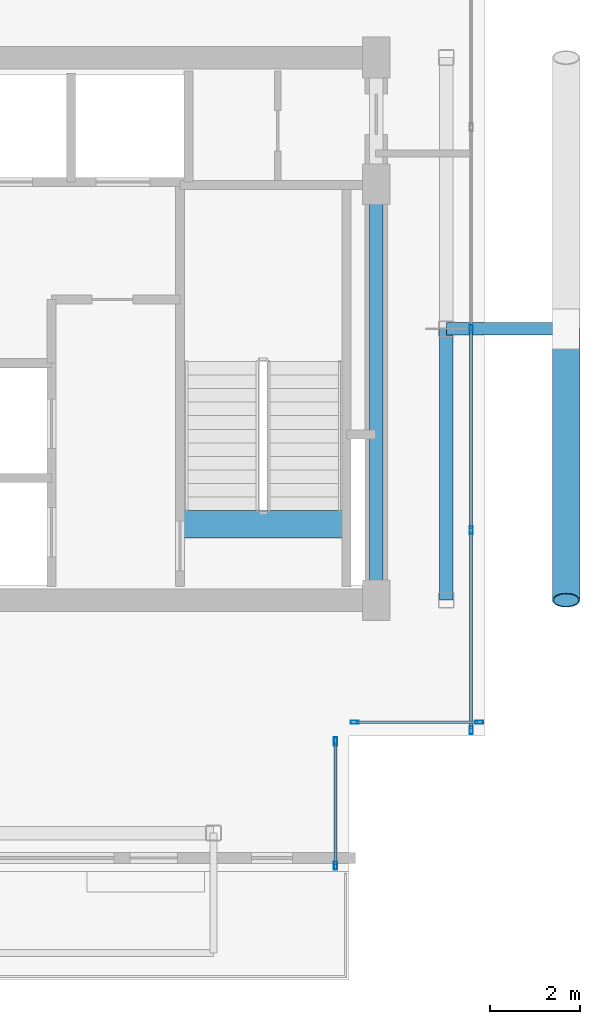
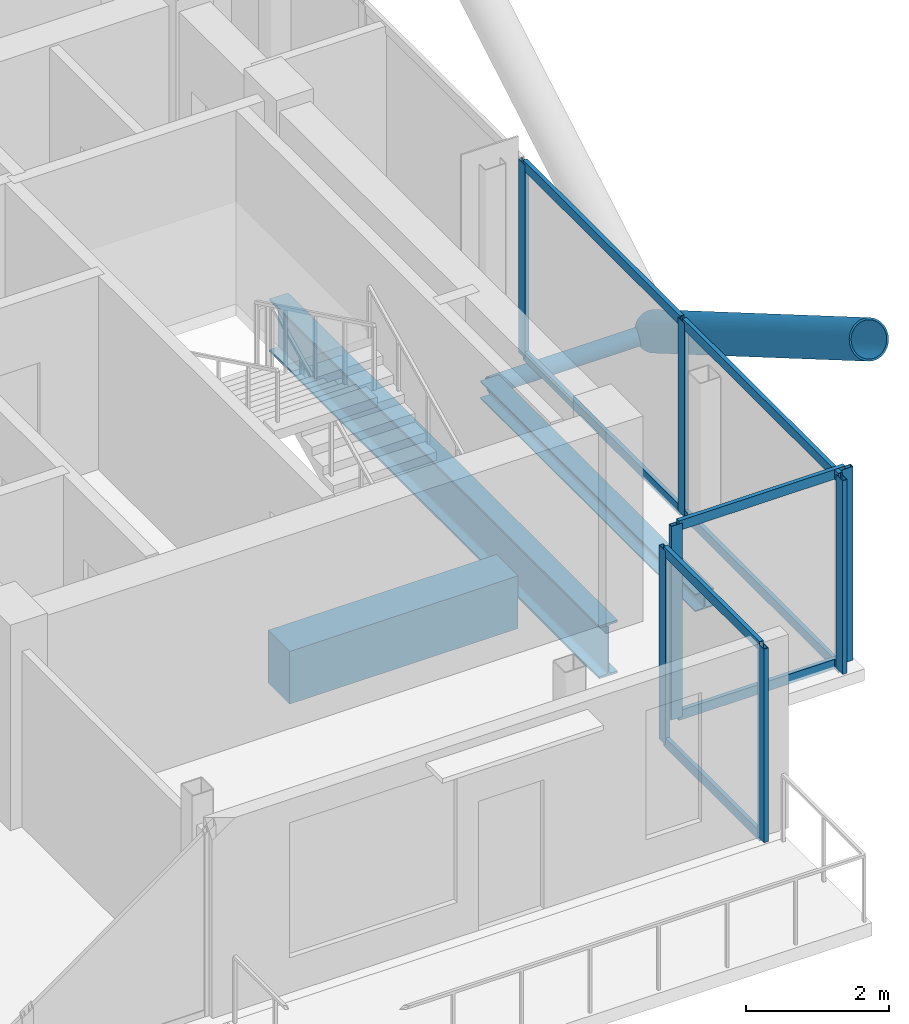
# One storey, part 11 of 18: 17 members, 3 beams, 3 elements without a shape of their own.
"""IFC4 building model written with IfcOpenShell, lengths in metres."""

from ifc_helpers import new_model, si_unit, direction, frame, origin, origin_2d, place, context, subcontext, project, spatial, rectangle, hollow_rectangle, hollow_circle, i_section, extrude, material, layer, layer_set, material_profile, profile_set, type_object, element, aggregate, save


model = new_model("IFC4")

# Units and contexts
model_context = context("Model", 3, precision=1e-05, world=origin(), true_north=direction((0.0, 1.0)))
body_context = subcontext(model_context, "Body", "Model", "MODEL_VIEW")
ifc_project = project(units=[si_unit("LENGTHUNIT", "METRE"), si_unit("AREAUNIT", "SQUARE_METRE"), si_unit("VOLUMEUNIT", "CUBIC_METRE"), si_unit("PLANEANGLEUNIT", "RADIAN"), si_unit("MASSUNIT", "GRAM", prefix="KILO"), si_unit("THERMODYNAMICTEMPERATUREUNIT", "KELVIN"), si_unit("POWERUNIT", "WATT")], contexts=[model_context])

# Site, building, storey
site_placement = place(None, origin())
site = spatial("IfcSite", under=ifc_project, at=site_placement, CompositionType="ELEMENT")
building_placement = place(site_placement, origin())
building = spatial("IfcBuilding", under=site, at=building_placement, Name="Svarakhadi Broadcast Tower", CompositionType="ELEMENT")
storey_placement = place(building_placement, frame((0.0, 0.0, 260.699951171875)))
storey = spatial("IfcBuildingStorey", under=building, at=storey_placement, Name="L65", CompositionType="ELEMENT", Elevation=260.699951171875)

# Curtain wall, members
ifc_material_1 = material(Name="Anodised Bronze Aluminium AA 6063-T6", Category="aluminium")
ifc_layer = layer(ifc_material_1, 0.179931640625)
ifc_layer_set = layer_set([ifc_layer], Name="Anodised Bronze Aluminium AA 6063-T6")
curtain_wall_type = type_object("IfcCurtainWallType", Name="CW_Sys_05", PredefinedType="NOTDEFINED", material=ifc_layer_set)
curtain_wall_1_placement = place(storey_placement, origin())
curtain_wall_1 = element("IfcCurtainWall", 1, at=curtain_wall_1_placement, inside=storey, type_object=curtain_wall_type, Name="L65 Unitised Facade Curtain Wall 12", PredefinedType="NOTDEFINED")
ifc_material_profile_1 = material_profile(ifc_material_1, hollow_rectangle(XDim=0.070068359375, YDim=0.179931640625, WallThickness=0.005615234375, at=origin_2d()), Name="ALU MULLION 180x70x6")
ifc_profile_set_1 = profile_set([ifc_material_profile_1], Name="Anodised Bronze Aluminium AA 6063-T6")
member_type_1 = type_object("IfcMemberType", Name="CW_Sys_05_Mul", PredefinedType="MULLION", material=ifc_profile_set_1)
member_1_placement = place(storey_placement, frame((35.699951171875, 12.0, 0.0), z_axis=(0.0, 0.0, 1.0), x_axis=(1.0, 0.0, 0.0)))
member_1 = element("IfcMember", 2, at=member_1_placement, type_object=member_type_1, Name="CW-05 mullion 3", PredefinedType="MULLION", context=body_context, shape_type="SweptSolid", body=[
    extrude(hollow_rectangle(XDim=0.070068359375, YDim=0.179931640625, WallThickness=0.005615234375, at=origin_2d()), origin(), (0.0, 0.0, 1.0), 3.300048828125),
])
member_2_placement = place(storey_placement, frame((35.699951171875, 7.544921875, 0.0), z_axis=(0.0, 0.0, 1.0), x_axis=(1.0, 0.0, 0.0)))
member_2 = element("IfcMember", 3, at=member_2_placement, type_object=member_type_1, Name="CW-05 mullion 4", PredefinedType="MULLION", context=body_context, shape_type="SweptSolid", body=[
    extrude(hollow_rectangle(XDim=0.070068359375, YDim=0.179931640625, WallThickness=0.005615234375, at=origin_2d()), origin(), (0.0, 0.0, 1.0), 3.300048828125),
])
member_3_placement = place(storey_placement, frame((35.699951171875, 3.125, 0.0), z_axis=(0.0, 0.0, 1.0), x_axis=(1.0, 0.0, 0.0)))
member_3 = element("IfcMember", 4, at=member_3_placement, type_object=member_type_1, Name="CW-05 mullion 5", PredefinedType="MULLION", context=body_context, shape_type="SweptSolid", body=[
    extrude(hollow_rectangle(XDim=0.070068359375, YDim=0.179931640625, WallThickness=0.005615234375, at=origin_2d()), origin(), (0.0, 0.0, 1.0), 3.300048828125),
])

curtain_wall_2_placement = place(storey_placement, origin())
curtain_wall_2 = element("IfcCurtainWall", 5, at=curtain_wall_2_placement, inside=storey, type_object=curtain_wall_type, Name="L65 Unitised Facade Curtain Wall 13", PredefinedType="NOTDEFINED")
member_4_placement = place(storey_placement, frame((35.875, 3.300048828125, 0.0), z_axis=(0.0, 0.0, 1.0), x_axis=(0.0, -1.0, 0.0)))
member_4 = element("IfcMember", 6, at=member_4_placement, type_object=member_type_1, Name="CW-05 mullion 1", PredefinedType="MULLION", context=body_context, shape_type="SweptSolid", body=[
    extrude(hollow_rectangle(XDim=0.070068359375, YDim=0.179931640625, WallThickness=0.005615234375, at=origin_2d()), origin(), (0.0, 0.0, 1.0), 3.300048828125),
])
member_5_placement = place(storey_placement, frame((33.125, 3.300048828125, 0.0), z_axis=(0.0, 0.0, 1.0), x_axis=(0.0, -1.0, 0.0)))
member_5 = element("IfcMember", 7, at=member_5_placement, type_object=member_type_1, Name="CW-05 mullion 2", PredefinedType="MULLION", context=body_context, shape_type="SweptSolid", body=[
    extrude(hollow_rectangle(XDim=0.070068359375, YDim=0.179931640625, WallThickness=0.005615234375, at=origin_2d()), origin(), (0.0, 0.0, 1.0), 3.300048828125),
])

curtain_wall_3_placement = place(storey_placement, origin())
curtain_wall_3 = element("IfcCurtainWall", 8, at=curtain_wall_3_placement, inside=storey, type_object=curtain_wall_type, Name="L65 Unitised Facade Curtain Wall 14", PredefinedType="NOTDEFINED")
member_6_placement = place(storey_placement, frame((32.699951171875, 2.875, 0.0), z_axis=(0.0, 0.0, 1.0), x_axis=(1.0, 0.0, 0.0)))
member_6 = element("IfcMember", 9, at=member_6_placement, type_object=member_type_1, Name="CW-05 mullion 1", PredefinedType="MULLION", context=body_context, shape_type="SweptSolid", body=[
    extrude(hollow_rectangle(XDim=0.070068359375, YDim=0.179931640625, WallThickness=0.005615234375, at=origin_2d()), origin(), (0.0, 0.0, 1.0), 3.300048828125),
])
member_7_placement = place(storey_placement, frame((32.699951171875, 0.125, 0.0), z_axis=(0.0, 0.0, 1.0), x_axis=(1.0, 0.0, 0.0)))
member_7 = element("IfcMember", 10, at=member_7_placement, type_object=member_type_1, Name="CW-05 mullion 2", PredefinedType="MULLION", context=body_context, shape_type="SweptSolid", body=[
    extrude(hollow_rectangle(XDim=0.070068359375, YDim=0.179931640625, WallThickness=0.005615234375, at=origin_2d()), origin(), (0.0, 0.0, 1.0), 3.300048828125),
])

# Member
ifc_material_profile_2 = material_profile(ifc_material_1, hollow_rectangle(XDim=0.06494140625, YDim=0.1650390625, WallThickness=0.0048828125, at=origin_2d()), Name="ALU TRANSOM 165x65x5")
ifc_profile_set_2 = profile_set([ifc_material_profile_2], Name="Anodised Bronze Aluminium AA 6063-T6")
member_type_2 = type_object("IfcMemberType", Name="CW_Sys_05_Trn", PredefinedType="USERDEFINED", material=ifc_profile_set_2)
member_8_placement = place(storey_placement, frame((35.699951171875, 11.965087890625, 0.032470703125), z_axis=(0.0, -1.0, 0.0), x_axis=(1.0, 0.0, 0.0)))
member_8 = element("IfcMember", 11, at=member_8_placement, type_object=member_type_2, Name="CW-05 transom 3.1", ObjectType="TRANSOM", PredefinedType="USERDEFINED", context=body_context, shape_type="SweptSolid", body=[
    extrude(hollow_rectangle(XDim=0.06494140625, YDim=0.1650390625, WallThickness=0.0048828125, at=origin_2d()), origin(), (0.0, 0.0, 1.0), 4.385009765625),
])

member_9_placement = place(storey_placement, frame((35.699951171875, 11.965087890625, 3.267578125), z_axis=(0.0, -1.0, 0.0), x_axis=(1.0, 0.0, 0.0)))
member_9 = element("IfcMember", 12, at=member_9_placement, type_object=member_type_2, Name="CW-05 transom 3.2", ObjectType="TRANSOM", PredefinedType="USERDEFINED", context=body_context, shape_type="SweptSolid", body=[
    extrude(hollow_rectangle(XDim=0.06494140625, YDim=0.1650390625, WallThickness=0.0048828125, at=origin_2d()), origin(), (0.0, 0.0, 1.0), 4.385009765625),
])

member_10_placement = place(storey_placement, frame((35.699951171875, 7.510009765625, 0.032470703125), z_axis=(0.0, -1.0, 0.0), x_axis=(1.0, 0.0, 0.0)))
member_10 = element("IfcMember", 13, at=member_10_placement, type_object=member_type_2, Name="CW-05 transom 4.1", ObjectType="TRANSOM", PredefinedType="USERDEFINED", context=body_context, shape_type="SweptSolid", body=[
    extrude(hollow_rectangle(XDim=0.06494140625, YDim=0.1650390625, WallThickness=0.0048828125, at=origin_2d()), origin(), (0.0, 0.0, 1.0), 4.35009765625),
])

member_11_placement = place(storey_placement, frame((35.699951171875, 7.510009765625, 3.267578125), z_axis=(0.0, -1.0, 0.0), x_axis=(1.0, 0.0, 0.0)))
member_11 = element("IfcMember", 14, at=member_11_placement, type_object=member_type_2, Name="CW-05 transom 4.2", ObjectType="TRANSOM", PredefinedType="USERDEFINED", context=body_context, shape_type="SweptSolid", body=[
    extrude(hollow_rectangle(XDim=0.06494140625, YDim=0.1650390625, WallThickness=0.0048828125, at=origin_2d()), origin(), (0.0, 0.0, 1.0), 4.35009765625),
])

aggregate(curtain_wall_1, [member_1, member_2, member_3, member_8, member_9, member_10, member_11])

member_12_placement = place(storey_placement, frame((35.840087890625, 3.300048828125, 0.032470703125), z_axis=(-1.0, 0.0, 0.0), x_axis=(0.0, -1.0, 0.0)))
member_12 = element("IfcMember", 15, at=member_12_placement, type_object=member_type_2, Name="CW-05 transom 1.1", ObjectType="TRANSOM", PredefinedType="USERDEFINED", context=body_context, shape_type="SweptSolid", body=[
    extrude(hollow_rectangle(XDim=0.06494140625, YDim=0.1650390625, WallThickness=0.0048828125, at=origin_2d()), origin(), (0.0, 0.0, 1.0), 2.68017578125),
])

member_13_placement = place(storey_placement, frame((35.840087890625, 3.300048828125, 3.267578125), z_axis=(-1.0, 0.0, 0.0), x_axis=(0.0, -1.0, 0.0)))
member_13 = element("IfcMember", 16, at=member_13_placement, type_object=member_type_2, Name="CW-05 transom 1.2", ObjectType="TRANSOM", PredefinedType="USERDEFINED", context=body_context, shape_type="SweptSolid", body=[
    extrude(hollow_rectangle(XDim=0.06494140625, YDim=0.1650390625, WallThickness=0.0048828125, at=origin_2d()), origin(), (0.0, 0.0, 1.0), 2.68017578125),
])

aggregate(curtain_wall_2, [member_4, member_5, member_12, member_13])

member_14_placement = place(storey_placement, frame((32.699951171875, 2.840087890625, 0.032470703125), z_axis=(0.0, -1.0, 0.0), x_axis=(1.0, 0.0, 0.0)))
member_14 = element("IfcMember", 17, at=member_14_placement, type_object=member_type_2, Name="CW-05 transom 1.1", ObjectType="TRANSOM", PredefinedType="USERDEFINED", context=body_context, shape_type="SweptSolid", body=[
    extrude(hollow_rectangle(XDim=0.06494140625, YDim=0.1650390625, WallThickness=0.0048828125, at=origin_2d()), origin(), (0.0, 0.0, 1.0), 2.68017578125),
])

member_15_placement = place(storey_placement, frame((32.699951171875, 2.840087890625, 3.267578125), z_axis=(0.0, -1.0, 0.0), x_axis=(1.0, 0.0, 0.0)))
member_15 = element("IfcMember", 18, at=member_15_placement, type_object=member_type_2, Name="CW-05 transom 1.2", ObjectType="TRANSOM", PredefinedType="USERDEFINED", context=body_context, shape_type="SweptSolid", body=[
    extrude(hollow_rectangle(XDim=0.06494140625, YDim=0.1650390625, WallThickness=0.0048828125, at=origin_2d()), origin(), (0.0, 0.0, 1.0), 2.68017578125),
])

aggregate(curtain_wall_3, [member_6, member_7, member_14, member_15])

# Beam
ifc_material_2 = material(Name="Concrete C50/60 (IS 456 M60)", Category="concrete")
ifc_material_profile_3 = material_profile(ifc_material_2, rectangle(XDim=0.60009765625, YDim=0.89990234375, at=origin_2d()), Name="RC 600x900")
ifc_profile_set_3 = profile_set([ifc_material_profile_3], Name="Concrete C50/60 (IS 456 M60)")
beam_type_1 = type_object("IfcBeamType", Name="Coupling_RC600", PredefinedType="USERDEFINED", material=ifc_profile_set_3)
beam_1_placement = place(storey_placement, frame((29.260009765625, 7.679931640625, -0.449951171875), z_axis=(1.0, 0.0, 0.0), x_axis=(0.0, 1.0, 0.0)))
element("IfcBeam", 19, at=beam_1_placement, inside=storey, type_object=beam_type_1, Name="L65 Stair ST-02 Landing Throat Trimmer Beam CB-01", ObjectType="GIRDER", PredefinedType="USERDEFINED", context=body_context, shape_type="SweptSolid", body=[
    extrude(rectangle(XDim=0.60009765625, YDim=0.89990234375, at=origin_2d()), origin(), (0.0, 0.0, 1.0), 3.679931640625),
])

# Members
ifc_material_3 = material(Name="Steel S460ML (IS 2062 E450BR)", Category="steel")
ifc_material_profile_4 = material_profile(ifc_material_3, hollow_circle(Radius=0.304931640625, WallThickness=0.030029296875, at=origin_2d()), Name="CHS 610x30")
ifc_profile_set_4 = profile_set([ifc_material_profile_4], Name="Steel S460ML (IS 2062 E450BR)")
member_type_3 = type_object("IfcMemberType", Name="Exo_Brace_CHS610", PredefinedType="BRACE", material=ifc_profile_set_4)
member_16_placement = place(storey_placement, frame((37.800048828125, 12.0, -0.33642578125), z_axis=(0.0, -0.863778900898, 0.503871025524), x_axis=(1.0, 0.0, 0.0)))
element("IfcMember", 20, at=member_16_placement, inside=storey, type_object=member_type_3, Name="L65 Exposed Bronze Exoskeleton Diagonal E04", PredefinedType="BRACE", context=body_context, shape_type="SweptSolid", body=[
    extrude(hollow_circle(Radius=0.304931640625, WallThickness=0.030029296875, at=origin_2d()), origin(), (0.0, 0.0, 1.0), 6.9462890625),
])
ifc_material_profile_5 = material_profile(ifc_material_3, hollow_circle(Radius=0.136474609375, WallThickness=0.012451171875, at=origin_2d()), Name="CHS 273x12.5")
ifc_profile_set_5 = profile_set([ifc_material_profile_5], Name="Steel S460ML (IS 2062 E450BR)")
member_type_4 = type_object("IfcMemberType", Name="Exo_Radial_Strut_Z3", PredefinedType="STRUT", material=ifc_profile_set_5)
member_17_placement = place(storey_placement, frame((37.800048828125, 12.0, -0.33642578125), z_axis=(-1.0, 0.0, 0.0), x_axis=(0.0, -1.0, 0.0)))
element("IfcMember", 21, at=member_17_placement, inside=storey, type_object=member_type_4, Name="L65 Exoskeleton Radial Tie Strut E03", PredefinedType="STRUT", context=body_context, shape_type="SweptSolid", body=[
    extrude(hollow_circle(Radius=0.136474609375, WallThickness=0.012451171875, at=origin_2d()), origin(), (0.0, 0.0, 1.0), 2.650146484375),
])

# Beams
ifc_material_4 = material(Name="Steel S355J2 (IS 2062 E350C)", Category="steel")
ifc_material_profile_6 = material_profile(ifc_material_4, i_section(OverallWidth=0.300048828125, OverallDepth=0.300048828125, WebThickness=0.010986328125, FlangeThickness=0.01904296875, FilletRadius=0.027099609375, at=origin_2d()), Name="WPB 300x300x117")
ifc_profile_set_6 = profile_set([ifc_material_profile_6], Name="Steel S355J2 (IS 2062 E350C)")
beam_type_2 = type_object("IfcBeamType", Name="Girder_WPB300", PredefinedType="USERDEFINED", material=ifc_profile_set_6)
beam_2_placement = place(storey_placement, frame((35.14990234375, 6.0, -0.349853515625), z_axis=(0.0, 1.0, 0.0), x_axis=(-1.0, 0.0, 0.0)))
element("IfcBeam", 22, at=beam_2_placement, inside=storey, type_object=beam_type_2, Name="L65 Primary N-S Girder G045", ObjectType="GIRDER", PredefinedType="USERDEFINED", context=body_context, shape_type="SweptSolid", body=[
    extrude(i_section(OverallWidth=0.300048828125, OverallDepth=0.300048828125, WebThickness=0.010986328125, FlangeThickness=0.01904296875, FilletRadius=0.027099609375, at=origin_2d()), origin(), (0.0, 0.0, 1.0), 6.0),
])
ifc_material_profile_7 = material_profile(ifc_material_3, i_section(OverallWidth=0.300048828125, OverallDepth=0.89990234375, WebThickness=0.0185546875, FlangeThickness=0.034912109375, FilletRadius=0.030029296875, at=origin_2d()), Name="WPB 900x300x291")
ifc_profile_set_7 = profile_set([ifc_material_profile_7], Name="Steel S460ML (IS 2062 E450BR)")
beam_type_3 = type_object("IfcBeamType", Name="Girder_WPB900", PredefinedType="USERDEFINED", material=ifc_profile_set_7)
beam_3_placement = place(storey_placement, frame((33.60009765625, 6.0, -0.64990234375), z_axis=(0.0, 1.0, 0.0), x_axis=(-1.0, 0.0, 0.0)))
element("IfcBeam", 23, at=beam_3_placement, inside=storey, type_object=beam_type_3, Name="L65 Primary N-S Girder G043", ObjectType="GIRDER", PredefinedType="USERDEFINED", context=body_context, shape_type="SweptSolid", body=[
    extrude(i_section(OverallWidth=0.300048828125, OverallDepth=0.89990234375, WebThickness=0.0185546875, FlangeThickness=0.034912109375, FilletRadius=0.030029296875, at=origin_2d()), origin(), (0.0, 0.0, 1.0), 9.199951171875),
])

save(model, "model.ifc")
